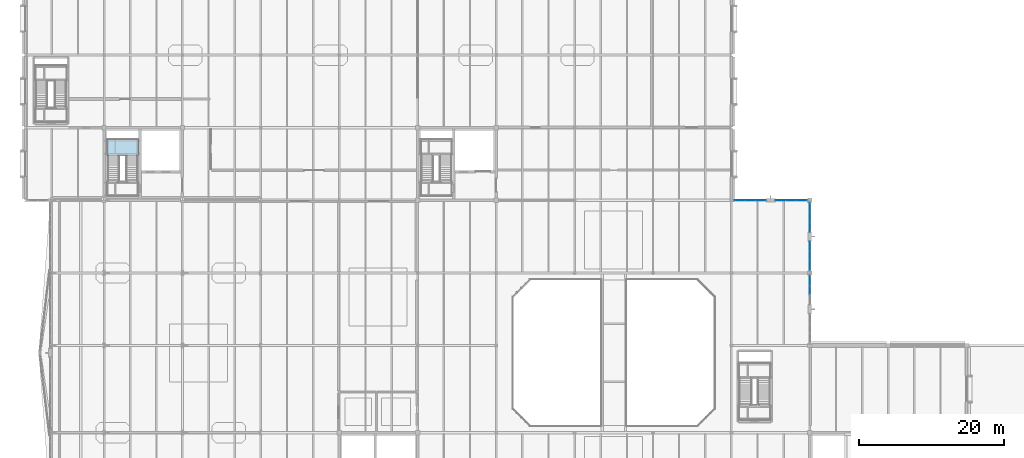
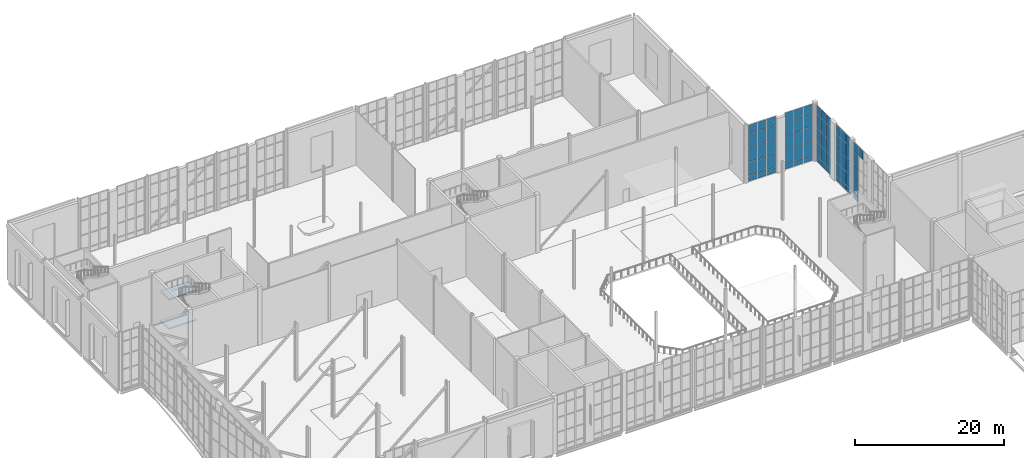
# One storey, part 69 of 100: 66 plates, 2 slabs, 6 elements without a shape of their own.
"""IFC4 building model written with IfcOpenShell, lengths in metres."""

from ifc_helpers import new_model, si_unit, direction, frame, origin, origin_2d, place, context, subcontext, project, spatial, polyline, rectangle, outline, extrude, material, layer, layer_set, type_object, element, aggregate, save


model = new_model("IFC4")

# Units and contexts
model_context = context("Model", 3, precision=1e-05, world=origin(), true_north=direction((0.0, 1.0)))
body_context = subcontext(model_context, "Body", "Model", "MODEL_VIEW")
ifc_project = project(units=[si_unit("LENGTHUNIT", "METRE"), si_unit("AREAUNIT", "SQUARE_METRE"), si_unit("VOLUMEUNIT", "CUBIC_METRE"), si_unit("PLANEANGLEUNIT", "RADIAN"), si_unit("MASSUNIT", "GRAM", prefix="KILO")], contexts=[model_context])

# Site, building, storey
site_placement = place(None, origin())
site = spatial("IfcSite", under=ifc_project, at=site_placement, CompositionType="ELEMENT")
building_placement = place(site_placement, origin())
building = spatial("IfcBuilding", under=site, at=building_placement, Name="Tasgan Crest Museum", CompositionType="ELEMENT")
storey_placement = place(building_placement, frame((0.0, 0.0, 14.39990234375)))
storey = spatial("IfcBuildingStorey", under=building, at=storey_placement, Name="L03", CompositionType="ELEMENT", Elevation=14.39990234375)

# Curtain wall, plate
ifc_material_1 = material(Name="Triple-Glazed Aluminium Curtain Wall", Category="aluminium")
ifc_layer_1 = layer(ifc_material_1, 0.179931640625, Name="CW-DRUM-Y10-96")
ifc_layer_set_1 = layer_set([ifc_layer_1], Name="Triple-Glazed Aluminium Curtain Wall")
curtain_wall_type_1 = type_object("IfcCurtainWallType", Name="CW-DRUM-Y10-96", PredefinedType="NOTDEFINED", material=ifc_layer_set_1)
curtain_wall_1_placement = place(storey_placement, origin())
curtain_wall_1 = element("IfcCurtainWall", 1, at=curtain_wall_1_placement, inside=storey, type_object=curtain_wall_type_1, Name="Curtain wall L03 120", PredefinedType="NOTDEFINED")
ifc_material_2 = material(Name="Insulated Spandrel Glass", Category="glass")
ifc_layer_2 = layer(ifc_material_2, 0.052001953125, Name="CW-PANEL-SPANDREL")
ifc_layer_set_2 = layer_set([ifc_layer_2], Name="Insulated Spandrel Glass")
plate_type_1 = type_object("IfcPlateType", Name="CW-PANEL-SPANDREL", PredefinedType="CURTAIN_PANEL", material=ifc_layer_set_2)
plate_1_placement = place(storey_placement, frame((108.0, 70.955078125, 0.06005859375), z_axis=(0.0, 0.0, 1.0), x_axis=(0.0, 1.0, 0.0)))
plate_1 = element("IfcPlate", 2, at=plate_1_placement, type_object=plate_type_1, Name="CW07 panel 3.1", PredefinedType="CURTAIN_PANEL", context=body_context, shape_type="SweptSolid", body=[
    extrude(rectangle(XDim=1.239990234375, YDim=0.028076171875, at=origin_2d()), origin(), (0.0, 0.0, 1.0), 0.81005859375),
])

# Curtain wall, plates
curtain_wall_2_placement = place(storey_placement, origin())
curtain_wall_2 = element("IfcCurtainWall", 3, at=curtain_wall_2_placement, inside=storey, type_object=curtain_wall_type_1, Name="Curtain wall L03 121", PredefinedType="NOTDEFINED")
plate_2_placement = place(storey_placement, frame((108.0, 73.044921875, 0.06005859375), z_axis=(0.0, 0.0, 1.0), x_axis=(0.0, 1.0, 0.0)))
plate_2 = element("IfcPlate", 4, at=plate_2_placement, type_object=plate_type_1, Name="CW07 panel 1.1", PredefinedType="CURTAIN_PANEL", context=body_context, shape_type="SweptSolid", body=[
    extrude(rectangle(XDim=1.239990234375, YDim=0.028076171875, at=origin_2d()), origin(), (0.0, 0.0, 1.0), 0.81005859375),
])
plate_3_placement = place(storey_placement, frame((108.0, 74.360107421875, 0.06005859375), z_axis=(0.0, 0.0, 1.0), x_axis=(0.0, 1.0, 0.0)))
plate_3 = element("IfcPlate", 5, at=plate_3_placement, type_object=plate_type_1, Name="CW07 panel 2.1", PredefinedType="CURTAIN_PANEL", context=body_context, shape_type="SweptSolid", body=[
    extrude(rectangle(XDim=1.27001953125, YDim=0.028076171875, at=origin_2d()), origin(), (0.0, 0.0, 1.0), 0.81005859375),
])
plate_4_placement = place(storey_placement, frame((108.0, 75.675048828125, 0.06005859375), z_axis=(0.0, 0.0, 1.0), x_axis=(0.0, 1.0, 0.0)))
plate_4 = element("IfcPlate", 6, at=plate_4_placement, type_object=plate_type_1, Name="CW07 panel 3.1", PredefinedType="CURTAIN_PANEL", context=body_context, shape_type="SweptSolid", body=[
    extrude(rectangle(XDim=1.239990234375, YDim=0.028076171875, at=origin_2d()), origin(), (0.0, 0.0, 1.0), 0.81005859375),
])

curtain_wall_3_placement = place(storey_placement, origin())
curtain_wall_3 = element("IfcCurtainWall", 7, at=curtain_wall_3_placement, inside=storey, type_object=curtain_wall_type_1, Name="Curtain wall L03 122", PredefinedType="NOTDEFINED")
plate_5_placement = place(storey_placement, frame((108.0, 78.324951171875, 0.06005859375), z_axis=(0.0, 0.0, 1.0), x_axis=(0.0, 1.0, 0.0)))
plate_5 = element("IfcPlate", 8, at=plate_5_placement, type_object=plate_type_1, Name="CW07 panel 1.1", PredefinedType="CURTAIN_PANEL", context=body_context, shape_type="SweptSolid", body=[
    extrude(rectangle(XDim=1.239990234375, YDim=0.028076171875, at=origin_2d()), origin(), (0.0, 0.0, 1.0), 0.81005859375),
])
plate_6_placement = place(storey_placement, frame((108.0, 79.639892578125, 0.06005859375), z_axis=(0.0, 0.0, 1.0), x_axis=(0.0, 1.0, 0.0)))
plate_6 = element("IfcPlate", 9, at=plate_6_placement, type_object=plate_type_1, Name="CW07 panel 2.1", PredefinedType="CURTAIN_PANEL", context=body_context, shape_type="SweptSolid", body=[
    extrude(rectangle(XDim=1.27001953125, YDim=0.028076171875, at=origin_2d()), origin(), (0.0, 0.0, 1.0), 0.81005859375),
])
plate_7_placement = place(storey_placement, frame((108.0, 80.955078125, 0.06005859375), z_axis=(0.0, 0.0, 1.0), x_axis=(0.0, 1.0, 0.0)))
plate_7 = element("IfcPlate", 10, at=plate_7_placement, type_object=plate_type_1, Name="CW07 panel 3.1", PredefinedType="CURTAIN_PANEL", context=body_context, shape_type="SweptSolid", body=[
    extrude(rectangle(XDim=1.239990234375, YDim=0.028076171875, at=origin_2d()), origin(), (0.0, 0.0, 1.0), 0.81005859375),
])

ifc_material_3 = material(Name="Triple-Glazed Aluminium Curtain Wall", Category="aluminium")
ifc_layer_3 = layer(ifc_material_3, 0.179931640625, Name="CW-DRUM-X-96")
ifc_layer_set_3 = layer_set([ifc_layer_3], Name="Triple-Glazed Aluminium Curtain Wall")
curtain_wall_type_2 = type_object("IfcCurtainWallType", Name="CW-DRUM-X-96", PredefinedType="NOTDEFINED", material=ifc_layer_set_3)
curtain_wall_4_placement = place(storey_placement, origin())
curtain_wall_4 = element("IfcCurtainWall", 11, at=curtain_wall_4_placement, inside=storey, type_object=curtain_wall_type_2, Name="Curtain wall L03 123", PredefinedType="NOTDEFINED")
plate_8_placement = place(storey_placement, frame((106.888427734375, 82.0, 0.06005859375), z_axis=(0.0, 0.0, 1.0), x_axis=(-1.0, 0.0, 0.0)))
plate_8 = element("IfcPlate", 12, at=plate_8_placement, type_object=plate_type_1, Name="CW06 panel 1.1", PredefinedType="CURTAIN_PANEL", context=body_context, shape_type="SweptSolid", body=[
    extrude(rectangle(XDim=1.373291015625, YDim=0.028076171875, at=origin_2d()), origin(), (0.0, 0.0, 1.0), 0.81005859375),
])
plate_9_placement = place(storey_placement, frame((105.43994140625, 82.0, 0.06005859375), z_axis=(0.0, 0.0, 1.0), x_axis=(-1.0, 0.0, 0.0)))
plate_9 = element("IfcPlate", 13, at=plate_9_placement, type_object=plate_type_1, Name="CW06 panel 2.1", PredefinedType="CURTAIN_PANEL", context=body_context, shape_type="SweptSolid", body=[
    extrude(rectangle(XDim=1.4033203125, YDim=0.028076171875, at=origin_2d()), origin(), (0.0, 0.0, 1.0), 0.81005859375),
])
plate_10_placement = place(storey_placement, frame((103.99169921875, 82.0, 0.06005859375), z_axis=(0.0, 0.0, 1.0), x_axis=(-1.0, 0.0, 0.0)))
plate_10 = element("IfcPlate", 14, at=plate_10_placement, type_object=plate_type_1, Name="CW06 panel 3.1", PredefinedType="CURTAIN_PANEL", context=body_context, shape_type="SweptSolid", body=[
    extrude(rectangle(XDim=1.373291015625, YDim=0.028076171875, at=origin_2d()), origin(), (0.0, 0.0, 1.0), 0.81005859375),
])

curtain_wall_5_placement = place(storey_placement, origin())
curtain_wall_5 = element("IfcCurtainWall", 15, at=curtain_wall_5_placement, inside=storey, type_object=curtain_wall_type_2, Name="Curtain wall L03 124", PredefinedType="NOTDEFINED")
plate_11_placement = place(storey_placement, frame((101.208251953125, 82.0, 0.06005859375), z_axis=(0.0, 0.0, 1.0), x_axis=(-1.0, 0.0, 0.0)))
plate_11 = element("IfcPlate", 16, at=plate_11_placement, type_object=plate_type_1, Name="CW06 panel 1.1", PredefinedType="CURTAIN_PANEL", context=body_context, shape_type="SweptSolid", body=[
    extrude(rectangle(XDim=1.373291015625, YDim=0.028076171875, at=origin_2d()), origin(), (0.0, 0.0, 1.0), 0.81005859375),
])
plate_12_placement = place(storey_placement, frame((99.760009765625, 82.0, 0.06005859375), z_axis=(0.0, 0.0, 1.0), x_axis=(-1.0, 0.0, 0.0)))
plate_12 = element("IfcPlate", 17, at=plate_12_placement, type_object=plate_type_1, Name="CW06 panel 2.1", PredefinedType="CURTAIN_PANEL", context=body_context, shape_type="SweptSolid", body=[
    extrude(rectangle(XDim=1.4033203125, YDim=0.028076171875, at=origin_2d()), origin(), (0.0, 0.0, 1.0), 0.81005859375),
])
plate_13_placement = place(storey_placement, frame((98.311767578125, 82.0, 0.06005859375), z_axis=(0.0, 0.0, 1.0), x_axis=(-1.0, 0.0, 0.0)))
plate_13 = element("IfcPlate", 18, at=plate_13_placement, type_object=plate_type_1, Name="CW06 panel 3.1", PredefinedType="CURTAIN_PANEL", context=body_context, shape_type="SweptSolid", body=[
    extrude(rectangle(XDim=1.373291015625, YDim=0.028076171875, at=origin_2d()), origin(), (0.0, 0.0, 1.0), 0.81005859375),
])

# Plate
ifc_material_4 = material(Name="Low-E Triple Glazing", Category="glass")
ifc_layer_4 = layer(ifc_material_4, 0.0439453125, Name="CW-PANEL-TRIPLE")
ifc_layer_set_4 = layer_set([ifc_layer_4], Name="Low-E Triple Glazing")
plate_type_2 = type_object("IfcPlateType", Name="CW-PANEL-TRIPLE", PredefinedType="CURTAIN_PANEL", material=ifc_layer_set_4)
plate_14_placement = place(storey_placement, frame((108.0, 69.639892578125, 7.830078125), z_axis=(0.0, 0.0, 1.0), x_axis=(0.0, 1.0, 0.0)))
plate_14 = element("IfcPlate", 19, at=plate_14_placement, type_object=plate_type_2, Name="CW07 panel 2.5", PredefinedType="CURTAIN_PANEL", context=body_context, shape_type="SweptSolid", body=[
    extrude(rectangle(XDim=1.27001953125, YDim=0.028076171875, at=origin_2d()), origin(), (0.0, 0.0, 1.0), 1.469970703125),
])

plate_15_placement = place(storey_placement, frame((108.0, 70.955078125, 0.93017578125), z_axis=(0.0, 0.0, 1.0), x_axis=(0.0, 1.0, 0.0)))
plate_15 = element("IfcPlate", 20, at=plate_15_placement, type_object=plate_type_2, Name="CW07 panel 3.2", PredefinedType="CURTAIN_PANEL", context=body_context, shape_type="SweptSolid", body=[
    extrude(rectangle(XDim=1.239990234375, YDim=0.028076171875, at=origin_2d()), origin(), (0.0, 0.0, 1.0), 2.239990234375),
])

plate_16_placement = place(storey_placement, frame((108.0, 70.955078125, 3.22998046875), z_axis=(0.0, 0.0, 1.0), x_axis=(0.0, 1.0, 0.0)))
plate_16 = element("IfcPlate", 21, at=plate_16_placement, type_object=plate_type_2, Name="CW07 panel 3.3", PredefinedType="CURTAIN_PANEL", context=body_context, shape_type="SweptSolid", body=[
    extrude(rectangle(XDim=1.239990234375, YDim=0.028076171875, at=origin_2d()), origin(), (0.0, 0.0, 1.0), 2.340087890625),
])

plate_17_placement = place(storey_placement, frame((108.0, 70.955078125, 5.63037109375), z_axis=(0.0, 0.0, 1.0), x_axis=(0.0, 1.0, 0.0)))
plate_17 = element("IfcPlate", 22, at=plate_17_placement, type_object=plate_type_2, Name="CW07 panel 3.4", PredefinedType="CURTAIN_PANEL", context=body_context, shape_type="SweptSolid", body=[
    extrude(rectangle(XDim=1.239990234375, YDim=0.028076171875, at=origin_2d()), origin(), (0.0, 0.0, 1.0), 2.139892578125),
])

plate_18_placement = place(storey_placement, frame((108.0, 70.955078125, 7.830078125), z_axis=(0.0, 0.0, 1.0), x_axis=(0.0, 1.0, 0.0)))
plate_18 = element("IfcPlate", 23, at=plate_18_placement, type_object=plate_type_2, Name="CW07 panel 3.5", PredefinedType="CURTAIN_PANEL", context=body_context, shape_type="SweptSolid", body=[
    extrude(rectangle(XDim=1.239990234375, YDim=0.028076171875, at=origin_2d()), origin(), (0.0, 0.0, 1.0), 1.469970703125),
])

aggregate(curtain_wall_1, [plate_14, plate_1, plate_15, plate_16, plate_17, plate_18])

plate_19_placement = place(storey_placement, frame((108.0, 73.044921875, 0.93017578125), z_axis=(0.0, 0.0, 1.0), x_axis=(0.0, 1.0, 0.0)))
plate_19 = element("IfcPlate", 24, at=plate_19_placement, type_object=plate_type_2, Name="CW07 panel 1.2", PredefinedType="CURTAIN_PANEL", context=body_context, shape_type="SweptSolid", body=[
    extrude(rectangle(XDim=1.239990234375, YDim=0.028076171875, at=origin_2d()), origin(), (0.0, 0.0, 1.0), 2.239990234375),
])

plate_20_placement = place(storey_placement, frame((108.0, 73.044921875, 3.22998046875), z_axis=(0.0, 0.0, 1.0), x_axis=(0.0, 1.0, 0.0)))
plate_20 = element("IfcPlate", 25, at=plate_20_placement, type_object=plate_type_2, Name="CW07 panel 1.3", PredefinedType="CURTAIN_PANEL", context=body_context, shape_type="SweptSolid", body=[
    extrude(rectangle(XDim=1.239990234375, YDim=0.028076171875, at=origin_2d()), origin(), (0.0, 0.0, 1.0), 2.340087890625),
])

plate_21_placement = place(storey_placement, frame((108.0, 73.044921875, 5.63037109375), z_axis=(0.0, 0.0, 1.0), x_axis=(0.0, 1.0, 0.0)))
plate_21 = element("IfcPlate", 26, at=plate_21_placement, type_object=plate_type_2, Name="CW07 panel 1.4", PredefinedType="CURTAIN_PANEL", context=body_context, shape_type="SweptSolid", body=[
    extrude(rectangle(XDim=1.239990234375, YDim=0.028076171875, at=origin_2d()), origin(), (0.0, 0.0, 1.0), 2.139892578125),
])

plate_22_placement = place(storey_placement, frame((108.0, 73.044921875, 7.830078125), z_axis=(0.0, 0.0, 1.0), x_axis=(0.0, 1.0, 0.0)))
plate_22 = element("IfcPlate", 27, at=plate_22_placement, type_object=plate_type_2, Name="CW07 panel 1.5", PredefinedType="CURTAIN_PANEL", context=body_context, shape_type="SweptSolid", body=[
    extrude(rectangle(XDim=1.239990234375, YDim=0.028076171875, at=origin_2d()), origin(), (0.0, 0.0, 1.0), 1.469970703125),
])

plate_23_placement = place(storey_placement, frame((108.0, 74.360107421875, 0.93017578125), z_axis=(0.0, 0.0, 1.0), x_axis=(0.0, 1.0, 0.0)))
plate_23 = element("IfcPlate", 28, at=plate_23_placement, type_object=plate_type_2, Name="CW07 panel 2.2", PredefinedType="CURTAIN_PANEL", context=body_context, shape_type="SweptSolid", body=[
    extrude(rectangle(XDim=1.27001953125, YDim=0.028076171875, at=origin_2d()), origin(), (0.0, 0.0, 1.0), 2.239990234375),
])

plate_24_placement = place(storey_placement, frame((108.0, 74.360107421875, 3.22998046875), z_axis=(0.0, 0.0, 1.0), x_axis=(0.0, 1.0, 0.0)))
plate_24 = element("IfcPlate", 29, at=plate_24_placement, type_object=plate_type_2, Name="CW07 panel 2.3", PredefinedType="CURTAIN_PANEL", context=body_context, shape_type="SweptSolid", body=[
    extrude(rectangle(XDim=1.27001953125, YDim=0.028076171875, at=origin_2d()), origin(), (0.0, 0.0, 1.0), 2.340087890625),
])

plate_25_placement = place(storey_placement, frame((108.0, 74.360107421875, 5.63037109375), z_axis=(0.0, 0.0, 1.0), x_axis=(0.0, 1.0, 0.0)))
plate_25 = element("IfcPlate", 30, at=plate_25_placement, type_object=plate_type_2, Name="CW07 panel 2.4", PredefinedType="CURTAIN_PANEL", context=body_context, shape_type="SweptSolid", body=[
    extrude(rectangle(XDim=1.27001953125, YDim=0.028076171875, at=origin_2d()), origin(), (0.0, 0.0, 1.0), 2.139892578125),
])

plate_26_placement = place(storey_placement, frame((108.0, 74.360107421875, 7.830078125), z_axis=(0.0, 0.0, 1.0), x_axis=(0.0, 1.0, 0.0)))
plate_26 = element("IfcPlate", 31, at=plate_26_placement, type_object=plate_type_2, Name="CW07 panel 2.5", PredefinedType="CURTAIN_PANEL", context=body_context, shape_type="SweptSolid", body=[
    extrude(rectangle(XDim=1.27001953125, YDim=0.028076171875, at=origin_2d()), origin(), (0.0, 0.0, 1.0), 1.469970703125),
])

plate_27_placement = place(storey_placement, frame((108.0, 75.675048828125, 0.93017578125), z_axis=(0.0, 0.0, 1.0), x_axis=(0.0, 1.0, 0.0)))
plate_27 = element("IfcPlate", 32, at=plate_27_placement, type_object=plate_type_2, Name="CW07 panel 3.2", PredefinedType="CURTAIN_PANEL", context=body_context, shape_type="SweptSolid", body=[
    extrude(rectangle(XDim=1.239990234375, YDim=0.028076171875, at=origin_2d()), origin(), (0.0, 0.0, 1.0), 2.239990234375),
])

plate_28_placement = place(storey_placement, frame((108.0, 75.675048828125, 3.22998046875), z_axis=(0.0, 0.0, 1.0), x_axis=(0.0, 1.0, 0.0)))
plate_28 = element("IfcPlate", 33, at=plate_28_placement, type_object=plate_type_2, Name="CW07 panel 3.3", PredefinedType="CURTAIN_PANEL", context=body_context, shape_type="SweptSolid", body=[
    extrude(rectangle(XDim=1.239990234375, YDim=0.028076171875, at=origin_2d()), origin(), (0.0, 0.0, 1.0), 2.340087890625),
])

plate_29_placement = place(storey_placement, frame((108.0, 75.675048828125, 5.63037109375), z_axis=(0.0, 0.0, 1.0), x_axis=(0.0, 1.0, 0.0)))
plate_29 = element("IfcPlate", 34, at=plate_29_placement, type_object=plate_type_2, Name="CW07 panel 3.4", PredefinedType="CURTAIN_PANEL", context=body_context, shape_type="SweptSolid", body=[
    extrude(rectangle(XDim=1.239990234375, YDim=0.028076171875, at=origin_2d()), origin(), (0.0, 0.0, 1.0), 2.139892578125),
])

plate_30_placement = place(storey_placement, frame((108.0, 75.675048828125, 7.830078125), z_axis=(0.0, 0.0, 1.0), x_axis=(0.0, 1.0, 0.0)))
plate_30 = element("IfcPlate", 35, at=plate_30_placement, type_object=plate_type_2, Name="CW07 panel 3.5", PredefinedType="CURTAIN_PANEL", context=body_context, shape_type="SweptSolid", body=[
    extrude(rectangle(XDim=1.239990234375, YDim=0.028076171875, at=origin_2d()), origin(), (0.0, 0.0, 1.0), 1.469970703125),
])

aggregate(curtain_wall_2, [plate_2, plate_19, plate_20, plate_21, plate_22, plate_3, plate_23, plate_24, plate_25, plate_26, plate_4, plate_27, plate_28, plate_29, plate_30])

plate_31_placement = place(storey_placement, frame((108.0, 78.324951171875, 0.93017578125), z_axis=(0.0, 0.0, 1.0), x_axis=(0.0, 1.0, 0.0)))
plate_31 = element("IfcPlate", 36, at=plate_31_placement, type_object=plate_type_2, Name="CW07 panel 1.2", PredefinedType="CURTAIN_PANEL", context=body_context, shape_type="SweptSolid", body=[
    extrude(rectangle(XDim=1.239990234375, YDim=0.028076171875, at=origin_2d()), origin(), (0.0, 0.0, 1.0), 2.239990234375),
])

plate_32_placement = place(storey_placement, frame((108.0, 78.324951171875, 3.22998046875), z_axis=(0.0, 0.0, 1.0), x_axis=(0.0, 1.0, 0.0)))
plate_32 = element("IfcPlate", 37, at=plate_32_placement, type_object=plate_type_2, Name="CW07 panel 1.3", PredefinedType="CURTAIN_PANEL", context=body_context, shape_type="SweptSolid", body=[
    extrude(rectangle(XDim=1.239990234375, YDim=0.028076171875, at=origin_2d()), origin(), (0.0, 0.0, 1.0), 2.340087890625),
])

plate_33_placement = place(storey_placement, frame((108.0, 78.324951171875, 5.63037109375), z_axis=(0.0, 0.0, 1.0), x_axis=(0.0, 1.0, 0.0)))
plate_33 = element("IfcPlate", 38, at=plate_33_placement, type_object=plate_type_2, Name="CW07 panel 1.4", PredefinedType="CURTAIN_PANEL", context=body_context, shape_type="SweptSolid", body=[
    extrude(rectangle(XDim=1.239990234375, YDim=0.028076171875, at=origin_2d()), origin(), (0.0, 0.0, 1.0), 2.139892578125),
])

plate_34_placement = place(storey_placement, frame((108.0, 78.324951171875, 7.830078125), z_axis=(0.0, 0.0, 1.0), x_axis=(0.0, 1.0, 0.0)))
plate_34 = element("IfcPlate", 39, at=plate_34_placement, type_object=plate_type_2, Name="CW07 panel 1.5", PredefinedType="CURTAIN_PANEL", context=body_context, shape_type="SweptSolid", body=[
    extrude(rectangle(XDim=1.239990234375, YDim=0.028076171875, at=origin_2d()), origin(), (0.0, 0.0, 1.0), 1.469970703125),
])

plate_35_placement = place(storey_placement, frame((108.0, 79.639892578125, 0.93017578125), z_axis=(0.0, 0.0, 1.0), x_axis=(0.0, 1.0, 0.0)))
plate_35 = element("IfcPlate", 40, at=plate_35_placement, type_object=plate_type_2, Name="CW07 panel 2.2", PredefinedType="CURTAIN_PANEL", context=body_context, shape_type="SweptSolid", body=[
    extrude(rectangle(XDim=1.27001953125, YDim=0.028076171875, at=origin_2d()), origin(), (0.0, 0.0, 1.0), 2.239990234375),
])

plate_36_placement = place(storey_placement, frame((108.0, 79.639892578125, 3.22998046875), z_axis=(0.0, 0.0, 1.0), x_axis=(0.0, 1.0, 0.0)))
plate_36 = element("IfcPlate", 41, at=plate_36_placement, type_object=plate_type_2, Name="CW07 panel 2.3", PredefinedType="CURTAIN_PANEL", context=body_context, shape_type="SweptSolid", body=[
    extrude(rectangle(XDim=1.27001953125, YDim=0.028076171875, at=origin_2d()), origin(), (0.0, 0.0, 1.0), 2.340087890625),
])

plate_37_placement = place(storey_placement, frame((108.0, 79.639892578125, 5.63037109375), z_axis=(0.0, 0.0, 1.0), x_axis=(0.0, 1.0, 0.0)))
plate_37 = element("IfcPlate", 42, at=plate_37_placement, type_object=plate_type_2, Name="CW07 panel 2.4", PredefinedType="CURTAIN_PANEL", context=body_context, shape_type="SweptSolid", body=[
    extrude(rectangle(XDim=1.27001953125, YDim=0.028076171875, at=origin_2d()), origin(), (0.0, 0.0, 1.0), 2.139892578125),
])

plate_38_placement = place(storey_placement, frame((108.0, 79.639892578125, 7.830078125), z_axis=(0.0, 0.0, 1.0), x_axis=(0.0, 1.0, 0.0)))
plate_38 = element("IfcPlate", 43, at=plate_38_placement, type_object=plate_type_2, Name="CW07 panel 2.5", PredefinedType="CURTAIN_PANEL", context=body_context, shape_type="SweptSolid", body=[
    extrude(rectangle(XDim=1.27001953125, YDim=0.028076171875, at=origin_2d()), origin(), (0.0, 0.0, 1.0), 1.469970703125),
])

plate_39_placement = place(storey_placement, frame((108.0, 80.955078125, 0.93017578125), z_axis=(0.0, 0.0, 1.0), x_axis=(0.0, 1.0, 0.0)))
plate_39 = element("IfcPlate", 44, at=plate_39_placement, type_object=plate_type_2, Name="CW07 panel 3.2", PredefinedType="CURTAIN_PANEL", context=body_context, shape_type="SweptSolid", body=[
    extrude(rectangle(XDim=1.239990234375, YDim=0.028076171875, at=origin_2d()), origin(), (0.0, 0.0, 1.0), 2.239990234375),
])

plate_40_placement = place(storey_placement, frame((108.0, 80.955078125, 3.22998046875), z_axis=(0.0, 0.0, 1.0), x_axis=(0.0, 1.0, 0.0)))
plate_40 = element("IfcPlate", 45, at=plate_40_placement, type_object=plate_type_2, Name="CW07 panel 3.3", PredefinedType="CURTAIN_PANEL", context=body_context, shape_type="SweptSolid", body=[
    extrude(rectangle(XDim=1.239990234375, YDim=0.028076171875, at=origin_2d()), origin(), (0.0, 0.0, 1.0), 2.340087890625),
])

plate_41_placement = place(storey_placement, frame((108.0, 80.955078125, 5.63037109375), z_axis=(0.0, 0.0, 1.0), x_axis=(0.0, 1.0, 0.0)))
plate_41 = element("IfcPlate", 46, at=plate_41_placement, type_object=plate_type_2, Name="CW07 panel 3.4", PredefinedType="CURTAIN_PANEL", context=body_context, shape_type="SweptSolid", body=[
    extrude(rectangle(XDim=1.239990234375, YDim=0.028076171875, at=origin_2d()), origin(), (0.0, 0.0, 1.0), 2.139892578125),
])

plate_42_placement = place(storey_placement, frame((108.0, 80.955078125, 7.830078125), z_axis=(0.0, 0.0, 1.0), x_axis=(0.0, 1.0, 0.0)))
plate_42 = element("IfcPlate", 47, at=plate_42_placement, type_object=plate_type_2, Name="CW07 panel 3.5", PredefinedType="CURTAIN_PANEL", context=body_context, shape_type="SweptSolid", body=[
    extrude(rectangle(XDim=1.239990234375, YDim=0.028076171875, at=origin_2d()), origin(), (0.0, 0.0, 1.0), 1.469970703125),
])

aggregate(curtain_wall_3, [plate_5, plate_31, plate_32, plate_33, plate_34, plate_6, plate_35, plate_36, plate_37, plate_38, plate_7, plate_39, plate_40, plate_41, plate_42])

plate_43_placement = place(storey_placement, frame((106.888427734375, 82.0, 0.93017578125), z_axis=(0.0, 0.0, 1.0), x_axis=(-1.0, 0.0, 0.0)))
plate_43 = element("IfcPlate", 48, at=plate_43_placement, type_object=plate_type_2, Name="CW06 panel 1.2", PredefinedType="CURTAIN_PANEL", context=body_context, shape_type="SweptSolid", body=[
    extrude(rectangle(XDim=1.373291015625, YDim=0.028076171875, at=origin_2d()), origin(), (0.0, 0.0, 1.0), 2.239990234375),
])

plate_44_placement = place(storey_placement, frame((106.888427734375, 82.0, 3.22998046875), z_axis=(0.0, 0.0, 1.0), x_axis=(-1.0, 0.0, 0.0)))
plate_44 = element("IfcPlate", 49, at=plate_44_placement, type_object=plate_type_2, Name="CW06 panel 1.3", PredefinedType="CURTAIN_PANEL", context=body_context, shape_type="SweptSolid", body=[
    extrude(rectangle(XDim=1.373291015625, YDim=0.028076171875, at=origin_2d()), origin(), (0.0, 0.0, 1.0), 2.340087890625),
])

plate_45_placement = place(storey_placement, frame((106.888427734375, 82.0, 5.63037109375), z_axis=(0.0, 0.0, 1.0), x_axis=(-1.0, 0.0, 0.0)))
plate_45 = element("IfcPlate", 50, at=plate_45_placement, type_object=plate_type_2, Name="CW06 panel 1.4", PredefinedType="CURTAIN_PANEL", context=body_context, shape_type="SweptSolid", body=[
    extrude(rectangle(XDim=1.373291015625, YDim=0.028076171875, at=origin_2d()), origin(), (0.0, 0.0, 1.0), 2.139892578125),
])

plate_46_placement = place(storey_placement, frame((106.888427734375, 82.0, 7.830078125), z_axis=(0.0, 0.0, 1.0), x_axis=(-1.0, 0.0, 0.0)))
plate_46 = element("IfcPlate", 51, at=plate_46_placement, type_object=plate_type_2, Name="CW06 panel 1.5", PredefinedType="CURTAIN_PANEL", context=body_context, shape_type="SweptSolid", body=[
    extrude(rectangle(XDim=1.373291015625, YDim=0.028076171875, at=origin_2d()), origin(), (0.0, 0.0, 1.0), 1.469970703125),
])

plate_47_placement = place(storey_placement, frame((105.43994140625, 82.0, 0.93017578125), z_axis=(0.0, 0.0, 1.0), x_axis=(-1.0, 0.0, 0.0)))
plate_47 = element("IfcPlate", 52, at=plate_47_placement, type_object=plate_type_2, Name="CW06 panel 2.2", PredefinedType="CURTAIN_PANEL", context=body_context, shape_type="SweptSolid", body=[
    extrude(rectangle(XDim=1.4033203125, YDim=0.028076171875, at=origin_2d()), origin(), (0.0, 0.0, 1.0), 2.239990234375),
])

plate_48_placement = place(storey_placement, frame((105.43994140625, 82.0, 3.22998046875), z_axis=(0.0, 0.0, 1.0), x_axis=(-1.0, 0.0, 0.0)))
plate_48 = element("IfcPlate", 53, at=plate_48_placement, type_object=plate_type_2, Name="CW06 panel 2.3", PredefinedType="CURTAIN_PANEL", context=body_context, shape_type="SweptSolid", body=[
    extrude(rectangle(XDim=1.4033203125, YDim=0.028076171875, at=origin_2d()), origin(), (0.0, 0.0, 1.0), 2.340087890625),
])

plate_49_placement = place(storey_placement, frame((105.43994140625, 82.0, 5.63037109375), z_axis=(0.0, 0.0, 1.0), x_axis=(-1.0, 0.0, 0.0)))
plate_49 = element("IfcPlate", 54, at=plate_49_placement, type_object=plate_type_2, Name="CW06 panel 2.4", PredefinedType="CURTAIN_PANEL", context=body_context, shape_type="SweptSolid", body=[
    extrude(rectangle(XDim=1.4033203125, YDim=0.028076171875, at=origin_2d()), origin(), (0.0, 0.0, 1.0), 2.139892578125),
])

plate_50_placement = place(storey_placement, frame((105.43994140625, 82.0, 7.830078125), z_axis=(0.0, 0.0, 1.0), x_axis=(-1.0, 0.0, 0.0)))
plate_50 = element("IfcPlate", 55, at=plate_50_placement, type_object=plate_type_2, Name="CW06 panel 2.5", PredefinedType="CURTAIN_PANEL", context=body_context, shape_type="SweptSolid", body=[
    extrude(rectangle(XDim=1.4033203125, YDim=0.028076171875, at=origin_2d()), origin(), (0.0, 0.0, 1.0), 1.469970703125),
])

plate_51_placement = place(storey_placement, frame((103.99169921875, 82.0, 0.93017578125), z_axis=(0.0, 0.0, 1.0), x_axis=(-1.0, 0.0, 0.0)))
plate_51 = element("IfcPlate", 56, at=plate_51_placement, type_object=plate_type_2, Name="CW06 panel 3.2", PredefinedType="CURTAIN_PANEL", context=body_context, shape_type="SweptSolid", body=[
    extrude(rectangle(XDim=1.373291015625, YDim=0.028076171875, at=origin_2d()), origin(), (0.0, 0.0, 1.0), 2.239990234375),
])

plate_52_placement = place(storey_placement, frame((103.99169921875, 82.0, 3.22998046875), z_axis=(0.0, 0.0, 1.0), x_axis=(-1.0, 0.0, 0.0)))
plate_52 = element("IfcPlate", 57, at=plate_52_placement, type_object=plate_type_2, Name="CW06 panel 3.3", PredefinedType="CURTAIN_PANEL", context=body_context, shape_type="SweptSolid", body=[
    extrude(rectangle(XDim=1.373291015625, YDim=0.028076171875, at=origin_2d()), origin(), (0.0, 0.0, 1.0), 2.340087890625),
])

plate_53_placement = place(storey_placement, frame((103.99169921875, 82.0, 5.63037109375), z_axis=(0.0, 0.0, 1.0), x_axis=(-1.0, 0.0, 0.0)))
plate_53 = element("IfcPlate", 58, at=plate_53_placement, type_object=plate_type_2, Name="CW06 panel 3.4", PredefinedType="CURTAIN_PANEL", context=body_context, shape_type="SweptSolid", body=[
    extrude(rectangle(XDim=1.373291015625, YDim=0.028076171875, at=origin_2d()), origin(), (0.0, 0.0, 1.0), 2.139892578125),
])

plate_54_placement = place(storey_placement, frame((103.99169921875, 82.0, 7.830078125), z_axis=(0.0, 0.0, 1.0), x_axis=(-1.0, 0.0, 0.0)))
plate_54 = element("IfcPlate", 59, at=plate_54_placement, type_object=plate_type_2, Name="CW06 panel 3.5", PredefinedType="CURTAIN_PANEL", context=body_context, shape_type="SweptSolid", body=[
    extrude(rectangle(XDim=1.373291015625, YDim=0.028076171875, at=origin_2d()), origin(), (0.0, 0.0, 1.0), 1.469970703125),
])

aggregate(curtain_wall_4, [plate_8, plate_43, plate_44, plate_45, plate_46, plate_9, plate_47, plate_48, plate_49, plate_50, plate_10, plate_51, plate_52, plate_53, plate_54])

plate_55_placement = place(storey_placement, frame((101.208251953125, 82.0, 0.93017578125), z_axis=(0.0, 0.0, 1.0), x_axis=(-1.0, 0.0, 0.0)))
plate_55 = element("IfcPlate", 60, at=plate_55_placement, type_object=plate_type_2, Name="CW06 panel 1.2", PredefinedType="CURTAIN_PANEL", context=body_context, shape_type="SweptSolid", body=[
    extrude(rectangle(XDim=1.373291015625, YDim=0.028076171875, at=origin_2d()), origin(), (0.0, 0.0, 1.0), 2.239990234375),
])

plate_56_placement = place(storey_placement, frame((101.208251953125, 82.0, 3.22998046875), z_axis=(0.0, 0.0, 1.0), x_axis=(-1.0, 0.0, 0.0)))
plate_56 = element("IfcPlate", 61, at=plate_56_placement, type_object=plate_type_2, Name="CW06 panel 1.3", PredefinedType="CURTAIN_PANEL", context=body_context, shape_type="SweptSolid", body=[
    extrude(rectangle(XDim=1.373291015625, YDim=0.028076171875, at=origin_2d()), origin(), (0.0, 0.0, 1.0), 2.340087890625),
])

plate_57_placement = place(storey_placement, frame((101.208251953125, 82.0, 5.63037109375), z_axis=(0.0, 0.0, 1.0), x_axis=(-1.0, 0.0, 0.0)))
plate_57 = element("IfcPlate", 62, at=plate_57_placement, type_object=plate_type_2, Name="CW06 panel 1.4", PredefinedType="CURTAIN_PANEL", context=body_context, shape_type="SweptSolid", body=[
    extrude(rectangle(XDim=1.373291015625, YDim=0.028076171875, at=origin_2d()), origin(), (0.0, 0.0, 1.0), 2.139892578125),
])

plate_58_placement = place(storey_placement, frame((101.208251953125, 82.0, 7.830078125), z_axis=(0.0, 0.0, 1.0), x_axis=(-1.0, 0.0, 0.0)))
plate_58 = element("IfcPlate", 63, at=plate_58_placement, type_object=plate_type_2, Name="CW06 panel 1.5", PredefinedType="CURTAIN_PANEL", context=body_context, shape_type="SweptSolid", body=[
    extrude(rectangle(XDim=1.373291015625, YDim=0.028076171875, at=origin_2d()), origin(), (0.0, 0.0, 1.0), 1.469970703125),
])

plate_59_placement = place(storey_placement, frame((99.760009765625, 82.0, 0.93017578125), z_axis=(0.0, 0.0, 1.0), x_axis=(-1.0, 0.0, 0.0)))
plate_59 = element("IfcPlate", 64, at=plate_59_placement, type_object=plate_type_2, Name="CW06 panel 2.2", PredefinedType="CURTAIN_PANEL", context=body_context, shape_type="SweptSolid", body=[
    extrude(rectangle(XDim=1.4033203125, YDim=0.028076171875, at=origin_2d()), origin(), (0.0, 0.0, 1.0), 2.239990234375),
])

plate_60_placement = place(storey_placement, frame((99.760009765625, 82.0, 3.22998046875), z_axis=(0.0, 0.0, 1.0), x_axis=(-1.0, 0.0, 0.0)))
plate_60 = element("IfcPlate", 65, at=plate_60_placement, type_object=plate_type_2, Name="CW06 panel 2.3", PredefinedType="CURTAIN_PANEL", context=body_context, shape_type="SweptSolid", body=[
    extrude(rectangle(XDim=1.4033203125, YDim=0.028076171875, at=origin_2d()), origin(), (0.0, 0.0, 1.0), 2.340087890625),
])

plate_61_placement = place(storey_placement, frame((99.760009765625, 82.0, 5.63037109375), z_axis=(0.0, 0.0, 1.0), x_axis=(-1.0, 0.0, 0.0)))
plate_61 = element("IfcPlate", 66, at=plate_61_placement, type_object=plate_type_2, Name="CW06 panel 2.4", PredefinedType="CURTAIN_PANEL", context=body_context, shape_type="SweptSolid", body=[
    extrude(rectangle(XDim=1.4033203125, YDim=0.028076171875, at=origin_2d()), origin(), (0.0, 0.0, 1.0), 2.139892578125),
])

plate_62_placement = place(storey_placement, frame((99.760009765625, 82.0, 7.830078125), z_axis=(0.0, 0.0, 1.0), x_axis=(-1.0, 0.0, 0.0)))
plate_62 = element("IfcPlate", 67, at=plate_62_placement, type_object=plate_type_2, Name="CW06 panel 2.5", PredefinedType="CURTAIN_PANEL", context=body_context, shape_type="SweptSolid", body=[
    extrude(rectangle(XDim=1.4033203125, YDim=0.028076171875, at=origin_2d()), origin(), (0.0, 0.0, 1.0), 1.469970703125),
])

plate_63_placement = place(storey_placement, frame((98.311767578125, 82.0, 0.93017578125), z_axis=(0.0, 0.0, 1.0), x_axis=(-1.0, 0.0, 0.0)))
plate_63 = element("IfcPlate", 68, at=plate_63_placement, type_object=plate_type_2, Name="CW06 panel 3.2", PredefinedType="CURTAIN_PANEL", context=body_context, shape_type="SweptSolid", body=[
    extrude(rectangle(XDim=1.373291015625, YDim=0.028076171875, at=origin_2d()), origin(), (0.0, 0.0, 1.0), 2.239990234375),
])

plate_64_placement = place(storey_placement, frame((98.311767578125, 82.0, 3.22998046875), z_axis=(0.0, 0.0, 1.0), x_axis=(-1.0, 0.0, 0.0)))
plate_64 = element("IfcPlate", 69, at=plate_64_placement, type_object=plate_type_2, Name="CW06 panel 3.3", PredefinedType="CURTAIN_PANEL", context=body_context, shape_type="SweptSolid", body=[
    extrude(rectangle(XDim=1.373291015625, YDim=0.028076171875, at=origin_2d()), origin(), (0.0, 0.0, 1.0), 2.340087890625),
])

plate_65_placement = place(storey_placement, frame((98.311767578125, 82.0, 5.63037109375), z_axis=(0.0, 0.0, 1.0), x_axis=(-1.0, 0.0, 0.0)))
plate_65 = element("IfcPlate", 70, at=plate_65_placement, type_object=plate_type_2, Name="CW06 panel 3.4", PredefinedType="CURTAIN_PANEL", context=body_context, shape_type="SweptSolid", body=[
    extrude(rectangle(XDim=1.373291015625, YDim=0.028076171875, at=origin_2d()), origin(), (0.0, 0.0, 1.0), 2.139892578125),
])

plate_66_placement = place(storey_placement, frame((98.311767578125, 82.0, 7.830078125), z_axis=(0.0, 0.0, 1.0), x_axis=(-1.0, 0.0, 0.0)))
plate_66 = element("IfcPlate", 71, at=plate_66_placement, type_object=plate_type_2, Name="CW06 panel 3.5", PredefinedType="CURTAIN_PANEL", context=body_context, shape_type="SweptSolid", body=[
    extrude(rectangle(XDim=1.373291015625, YDim=0.028076171875, at=origin_2d()), origin(), (0.0, 0.0, 1.0), 1.469970703125),
])

aggregate(curtain_wall_5, [plate_11, plate_55, plate_56, plate_57, plate_58, plate_12, plate_59, plate_60, plate_61, plate_62, plate_13, plate_63, plate_64, plate_65, plate_66])

# Stair, slabs
ifc_material_5 = material(Name="Concrete C35/45", Category="concrete")
stair_type = type_object("IfcStairType", Name="ST-CORE-96", PredefinedType="HALF_TURN_STAIR", material=ifc_material_5)
stair_placement = place(storey_placement, origin())
stair = element("IfcStair", 72, at=stair_placement, inside=storey, type_object=stair_type, Name="Stair ST-NW-L03 L03", PredefinedType="HALF_TURN_STAIR")
ifc_material_6 = material(Name="Concrete C35/45", Category="concrete")
ifc_layer_5 = layer(ifc_material_6, 0.199951171875, Name="SL-LAND-200")
ifc_layer_set_5 = layer_set([ifc_layer_5], Name="Concrete C35/45")
slab_type = type_object("IfcSlabType", Name="SL-LAND-200", PredefinedType="LANDING", material=ifc_layer_set_5)
slab_1_placement = place(storey_placement, frame((0.0, 0.0, 2.2001953125)))
slab_1 = element("IfcSlab", 73, at=slab_1_placement, type_object=slab_type, Name="ST-NW-L03 landing 1", PredefinedType="LANDING", context=body_context, shape_type="SweptSolid", body=[
    extrude(outline(polyline([(11.219970703125, 88.205078125), (15.530029296875, 88.205078125), (15.530029296875, 90.455078125), (11.219970703125, 90.455078125), (11.219970703125, 88.205078125)])), origin(), (0.0, 0.0, 1.0), 0.199951171875),
])
slab_2_placement = place(storey_placement, frame((0.0, 0.0, 7.0)))
slab_2 = element("IfcSlab", 74, at=slab_2_placement, type_object=slab_type, Name="ST-NW-L03 landing 3", PredefinedType="LANDING", context=body_context, shape_type="SweptSolid", body=[
    extrude(outline(polyline([(11.219970703125, 88.205078125), (15.530029296875, 88.205078125), (15.530029296875, 90.455078125), (11.219970703125, 90.455078125), (11.219970703125, 88.205078125)])), origin(), (0.0, 0.0, 1.0), 0.2001953125),
])
aggregate(stair, [slab_1, slab_2])

save(model, "model.ifc")
